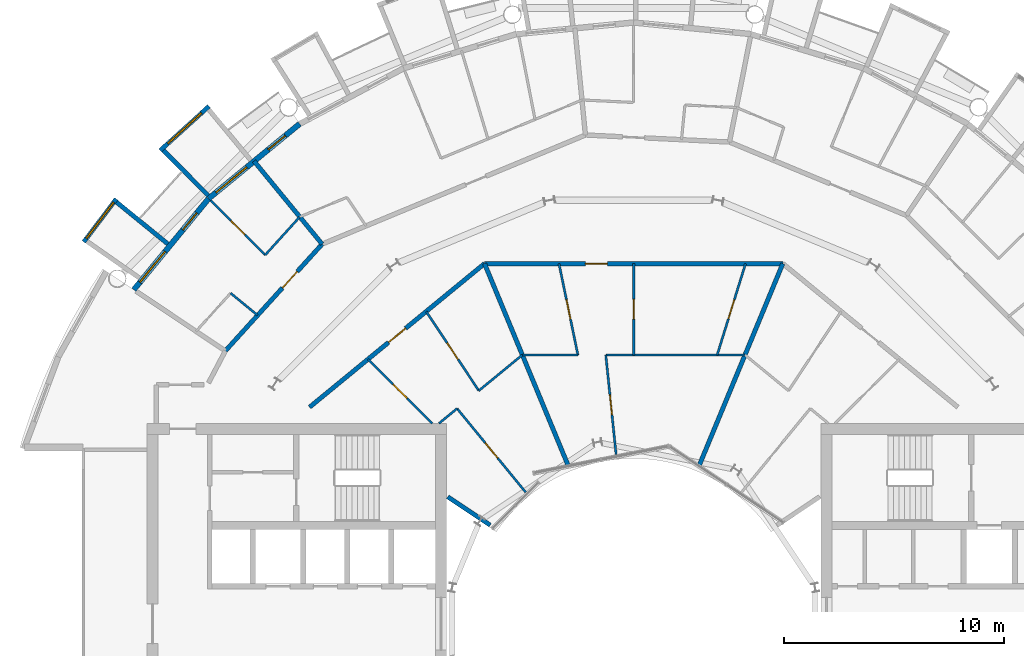
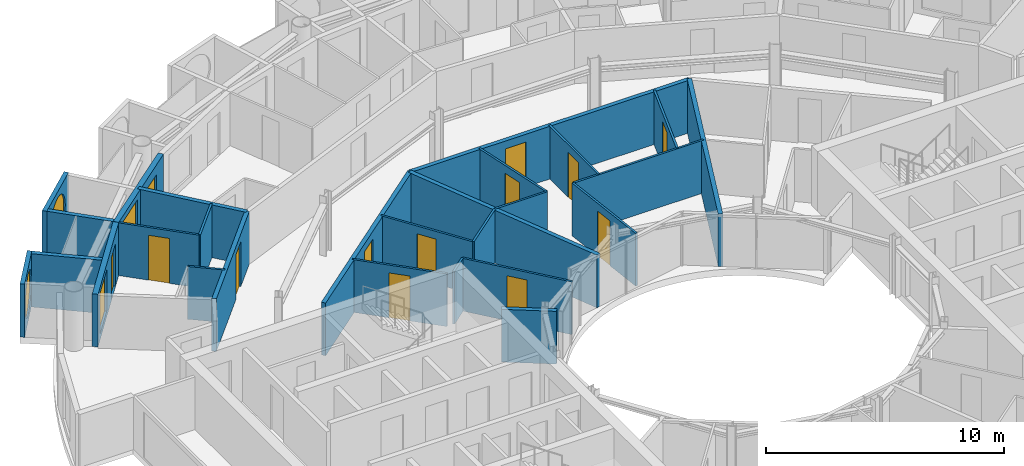
# One storey, part 20 of 28: 27 walls, 13 doors, 4 windows, 17 openings.
"""IFC4 building model written with IfcOpenShell, lengths in metres."""

from ifc_helpers import new_model, si_unit, direction, frame, frame_2d, origin, place, context, subcontext, project, spatial, rectangle, circle, extrude, material, layer, layer_set, type_object, element, fill, save


model = new_model("IFC4")

# Units and contexts
model_context = context("Model", 3, precision=1e-05, world=origin(), true_north=direction((0.0, 1.0)))
body_context = subcontext(model_context, "Body", "Model", "MODEL_VIEW")
ifc_project = project(units=[si_unit("LENGTHUNIT", "METRE"), si_unit("AREAUNIT", "SQUARE_METRE"), si_unit("VOLUMEUNIT", "CUBIC_METRE"), si_unit("PLANEANGLEUNIT", "RADIAN"), si_unit("MASSUNIT", "GRAM", prefix="KILO")], contexts=[model_context])

# Site, building, storey
site_placement = place(None, origin())
site = spatial("IfcSite", under=ifc_project, at=site_placement, CompositionType="ELEMENT")
building_placement = place(site_placement, origin())
building = spatial("IfcBuilding", under=site, at=building_placement, Name="Maasbend Ring Residences", CompositionType="ELEMENT")
storey_placement = place(building_placement, frame((0.0, 0.0, 173.800048828125)))
storey = spatial("IfcBuildingStorey", under=building, at=storey_placement, Name="L50", CompositionType="ELEMENT", Elevation=173.800048828125)

# Wall, opening, door
ifc_material_1 = material(Name="Concrete C30/37", Category="concrete")
ifc_layer_1 = layer(ifc_material_1, 0.199951171875)
ifc_layer_set_1 = layer_set([ifc_layer_1], Name="Concrete C30/37")
wall_type_1 = type_object("IfcWallType", Name="CORRIDOR WALL 200 CONCRETE", PredefinedType="PARTITIONING", material=ifc_layer_set_1)
wall_1_placement = place(storey_placement, frame((-6.77294921875, 16.35302734375, 0.0), z_axis=(0.0, 0.0, 1.0), x_axis=(1.0, 0.0, 0.0)))
wall_1 = element("IfcWall", 1, at=wall_1_placement, inside=storey, type_object=wall_type_1, Name="U-L50-w104", PredefinedType="PARTITIONING", context=body_context, shape_type="SweptSolid", body=[
    extrude(rectangle(XDim=13.5458984375, YDim=0.199951171875, at=frame_2d((6.77294921875, 0.0))), origin(), (0.0, 0.0, 1.0), 2.699951171875),
])
opening_1_placement = place(wall_1_placement, frame((4.5791015625, 0.0, 0.0)))
opening_1 = element("IfcOpeningElement", 2, at=opening_1_placement, cuts=wall_1, Name="Opening D-5024", PredefinedType="OPENING", context=body_context, shape_type="SweptSolid", body=[
    extrude(rectangle(XDim=1.0, YDim=2.300048828125, at=frame_2d((0.5, 1.14990234375))), frame((0.0, 0.10986328125, 0.0), z_axis=(0.0, -1.0, 0.0), x_axis=(1.0, 0.0, 0.0)), (0.0, 0.0, 1.0), 0.219970703125),
])
ifc_material_2 = material(Name="Timber, fire-rated, painted", Category="wood")
door_type_1 = type_object("IfcDoorType", Name="FLAT ENTRANCE DOOR 1000 X 2300 FIRE-RATED", OperationType="NOTDEFINED", PredefinedType="DOOR", material=ifc_material_2)
door_1_placement = place(opening_1_placement, origin())
door_1 = element("IfcDoor", 3, at=door_1_placement, inside=storey, type_object=door_type_1, Name="D-5024", OperationType="SINGLE_SWING_LEFT", OverallHeight=2.300048828125, OverallWidth=1.0, PredefinedType="DOOR", context=body_context, shape_type="SweptSolid", body=[
    extrude(rectangle(XDim=1.0, YDim=2.300048828125, at=frame_2d((0.5, 1.14990234375))), frame((0.0, 0.02490234375, 0.0), z_axis=(0.0, -1.0, 0.0), x_axis=(1.0, 0.0, 0.0)), (0.0, 0.0, 1.0), 0.050048828125),
])
fill(opening_1, door_1)

wall_2_placement = place(storey_placement, frame((-14.717041015625, 9.833984375, 0.0), z_axis=(0.0, 0.0, 1.0), x_axis=(0.773034536097, 0.634363938131, 0.0)))
wall_2 = element("IfcWall", 4, at=wall_2_placement, inside=storey, type_object=wall_type_1, Name="U-L50-w105", PredefinedType="PARTITIONING", context=body_context, shape_type="SweptSolid", body=[
    extrude(rectangle(XDim=10.276611328125, YDim=0.199951171875, at=frame_2d((5.13818359375, 0.0))), origin(), (0.0, 0.0, 1.0), 2.699951171875),
])
opening_2_placement = place(wall_2_placement, frame((4.637939453125, 0.0, 0.0)))
opening_2 = element("IfcOpeningElement", 5, at=opening_2_placement, cuts=wall_2, Name="Opening D-5029", PredefinedType="OPENING", context=body_context, shape_type="SweptSolid", body=[
    extrude(rectangle(XDim=1.0, YDim=2.300048828125, at=frame_2d((0.5, 1.14990234375))), frame((0.0, 0.10986328125, 0.0), z_axis=(0.0, -1.0, 0.0), x_axis=(1.0, 0.0, 0.0)), (0.0, 0.0, 1.0), 0.219970703125),
])
door_2_placement = place(opening_2_placement, origin())
door_2 = element("IfcDoor", 6, at=door_2_placement, inside=storey, type_object=door_type_1, Name="D-5029", OperationType="SINGLE_SWING_LEFT", OverallHeight=2.300048828125, OverallWidth=1.0, PredefinedType="DOOR", context=body_context, shape_type="SweptSolid", body=[
    extrude(rectangle(XDim=1.0, YDim=2.300048828125, at=frame_2d((0.5, 1.14990234375))), frame((0.0, 0.02490234375, 0.0), z_axis=(0.0, -1.0, 0.0), x_axis=(1.0, 0.0, 0.0)), (0.0, 0.0, 1.0), 0.050048828125),
])
fill(opening_2, door_2)

wall_3_placement = place(storey_placement, frame((-18.5419921875, 12.388916015625, 0.0), z_axis=(0.0, 0.0, 1.0), x_axis=(0.671561669125, 0.740948665268, 0.0)))
wall_3 = element("IfcWall", 7, at=wall_3_placement, inside=storey, type_object=wall_type_1, Name="U-L50-w112", PredefinedType="PARTITIONING", context=body_context, shape_type="SweptSolid", body=[
    extrude(rectangle(XDim=6.54443359375, YDim=0.199951171875, at=frame_2d((3.272216796875, 0.0))), origin(), (0.0, 0.0, 1.0), 2.699951171875),
])
opening_3_placement = place(wall_3_placement, frame((3.862060546875, 0.0, 0.0)))
opening_3 = element("IfcOpeningElement", 8, at=opening_3_placement, cuts=wall_3, Name="Opening D-5017", PredefinedType="OPENING", context=body_context, shape_type="SweptSolid", body=[
    extrude(rectangle(XDim=1.0, YDim=2.300048828125, at=frame_2d((0.5, 1.14990234375))), frame((0.0, 0.10986328125, 0.0), z_axis=(0.0, -1.0, 0.0), x_axis=(1.0, 0.0, 0.0)), (0.0, 0.0, 1.0), 0.219970703125),
])
door_3_placement = place(opening_3_placement, origin())
door_3 = element("IfcDoor", 9, at=door_3_placement, inside=storey, type_object=door_type_1, Name="D-5017", OperationType="SINGLE_SWING_RIGHT", OverallHeight=2.300048828125, OverallWidth=1.0, PredefinedType="DOOR", context=body_context, shape_type="SweptSolid", body=[
    extrude(rectangle(XDim=1.0, YDim=2.300048828125, at=frame_2d((0.5, 1.14990234375))), frame((0.0, 0.02490234375, 0.0), z_axis=(0.0, -1.0, 0.0), x_axis=(1.0, 0.0, 0.0)), (0.0, 0.0, 1.0), 0.050048828125),
])
fill(opening_3, door_3)

# Wall, opening, window
ifc_material_3 = material(Name="Pale anodised aluminium panel", Category="aluminium")
ifc_layer_2 = layer(ifc_material_3, 0.199951171875)
ifc_layer_set_2 = layer_set([ifc_layer_2], Name="EW-BOX")
wall_type_2 = type_object("IfcWallType", Name="EW-BOX", PredefinedType="SOLIDWALL", material=ifc_layer_set_2)
wall_4_placement = place(storey_placement, frame((-19.281982421875, 23.5029296875, -0.030029296875), z_axis=(0.0, 0.0, 1.0), x_axis=(-0.740998365753, -0.671506829416, 0.0)))
wall_4 = element("IfcWall", 10, at=wall_4_placement, inside=storey, type_object=wall_type_2, Name="Box front N18", PredefinedType="SOLIDWALL", context=body_context, shape_type="SweptSolid", body=[
    extrude(rectangle(XDim=2.9931640625, YDim=0.199951171875, at=frame_2d((1.49658203125, 0.0))), origin(), (0.0, 0.0, 1.0), 2.72998046875),
])
opening_4_placement = place(wall_4_placement, frame((0.45654296875, 0.0, 0.330078125)))
opening_4 = element("IfcOpeningElement", 11, at=opening_4_placement, cuts=wall_4, Name="Opening W-RD", PredefinedType="OPENING", context=body_context, shape_type="SweptSolid", body=[
    extrude(circle(Radius=1.0400390625, at=frame_2d((1.0400390625, 1.0400390625))), frame((0.0, 0.10986328125, 0.0), z_axis=(0.0, -1.0, 0.0), x_axis=(1.0, 0.0, 0.0)), (0.0, 0.0, 1.0), 0.219970703125),
])
ifc_material_4 = material(Name="Aluminium and clear glass", Category="aluminium")
window_type_1 = type_object("IfcWindowType", Name="W-RD", PartitioningType="SINGLE_PANEL", PredefinedType="WINDOW", material=ifc_material_4)
window_1_placement = place(opening_4_placement, origin())
window_1 = element("IfcWindow", 12, at=window_1_placement, inside=storey, type_object=window_type_1, Name="Round window N18", OverallHeight=2.080078125, OverallWidth=2.080078125, PartitioningType="SINGLE_PANEL", PredefinedType="WINDOW", context=body_context, shape_type="SweptSolid", body=[
    extrude(circle(Radius=1.0400390625, at=frame_2d((1.0400390625, 1.0400390625))), frame((0.0, 0.030029296875, 0.0), z_axis=(0.0, -1.0, 0.0), x_axis=(1.0, 0.0, 0.0)), (0.0, 0.0, 1.0), 0.06005859375),
])
fill(opening_4, window_1)

# Wall
wall_5_placement = place(storey_placement, frame((-19.322998046875, 19.449951171875, -0.030029296875), z_axis=(0.0, 0.0, 1.0), x_axis=(-0.704476739375, 0.709727076896, 0.0)))
element("IfcWall", 13, at=wall_5_placement, inside=storey, type_object=wall_type_2, Name="Box side wall N18 right", PredefinedType="SOLIDWALL", context=body_context, shape_type="SweptSolid", body=[
    extrude(rectangle(XDim=2.883056640625, YDim=0.199951171875, at=frame_2d((1.44140625, 0.0))), origin(), (0.0, 0.0, 1.0), 2.72998046875),
])

# Wall, opening, window
wall_6_placement = place(storey_placement, frame((-23.4970703125, 19.2890625, -0.030029296875), z_axis=(0.0, 0.0, 1.0), x_axis=(-0.602806268067, -0.797887588059, 0.0)))
wall_6 = element("IfcWall", 14, at=wall_6_placement, inside=storey, type_object=wall_type_2, Name="Box front N20", PredefinedType="SOLIDWALL", context=body_context, shape_type="SweptSolid", body=[
    extrude(rectangle(XDim=2.446533203125, YDim=0.199951171875, at=frame_2d((1.22314453125, 0.0))), origin(), (0.0, 0.0, 1.0), 2.72998046875),
])
opening_5_placement = place(wall_6_placement, frame((0.182861328125, 0.0, 0.330078125)))
opening_5 = element("IfcOpeningElement", 15, at=opening_5_placement, cuts=wall_6, Name="Opening W-RD", PredefinedType="OPENING", context=body_context, shape_type="SweptSolid", body=[
    extrude(circle(Radius=1.0400390625, at=frame_2d((1.0400390625, 1.0400390625))), frame((0.0, 0.10986328125, 0.0), z_axis=(0.0, -1.0, 0.0), x_axis=(1.0, 0.0, 0.0)), (0.0, 0.0, 1.0), 0.219970703125),
])
window_2_placement = place(opening_5_placement, origin())
window_2 = element("IfcWindow", 16, at=window_2_placement, inside=storey, type_object=window_type_1, Name="Round window N20", OverallHeight=2.080078125, OverallWidth=2.080078125, PartitioningType="SINGLE_PANEL", PredefinedType="WINDOW", context=body_context, shape_type="SweptSolid", body=[
    extrude(circle(Radius=1.0400390625, at=frame_2d((1.0400390625, 1.0400390625))), frame((0.0, 0.030029296875, 0.0), z_axis=(0.0, -1.0, 0.0), x_axis=(1.0, 0.0, 0.0)), (0.0, 0.0, 1.0), 0.06005859375),
])
fill(opening_5, window_2)

# Wall
wall_7_placement = place(storey_placement, frame((-21.155029296875, 17.24609375, -0.030029296875), z_axis=(0.0, 0.0, 1.0), x_axis=(-0.775179004516, 0.631741648902, 0.0)))
element("IfcWall", 17, at=wall_7_placement, inside=storey, type_object=wall_type_2, Name="Box side wall N20 left", PredefinedType="SOLIDWALL", context=body_context, shape_type="SweptSolid", body=[
    extrude(rectangle(XDim=3.005859375, YDim=0.199951171875, at=frame_2d((1.5029296875, 0.0))), origin(), (0.0, 0.0, 1.0), 2.72998046875),
])

# Wall, openings, door, window
ifc_material_5 = material(Name="Aluminium clad insulated panel", Category="aluminium")
ifc_layer_3 = layer(ifc_material_5, 0.25)
ifc_layer_set_3 = layer_set([ifc_layer_3], Name="EW-GL")
wall_type_3 = type_object("IfcWallType", Name="EW-GL", PredefinedType="SOLIDWALL", material=ifc_layer_set_3)
wall_8_placement = place(storey_placement, frame((-15.1669921875, 22.698974609375, 0.0), z_axis=(0.0, 0.0, 1.0), x_axis=(-0.773019449054, -0.634382322723, 0.0)))
wall_8 = element("IfcWall", 18, at=wall_8_placement, inside=storey, type_object=wall_type_3, Name="External wall N09", PredefinedType="SOLIDWALL", context=body_context, shape_type="SweptSolid", body=[
    extrude(rectangle(XDim=5.351806640625, YDim=0.25, at=frame_2d((2.67578125, 0.0))), origin(), (0.0, 0.0, 1.0), 2.699951171875),
])
opening_6_placement = place(wall_8_placement, frame((0.841064453125, 0.0, 0.0)))
opening_6 = element("IfcOpeningElement", 19, at=opening_6_placement, cuts=wall_8, Name="Opening D-LG", PredefinedType="OPENING", context=body_context, shape_type="SweptSolid", body=[
    extrude(rectangle(XDim=1.0, YDim=2.199951171875, at=frame_2d((0.5, 1.10009765625))), frame((0.0, 0.135009765625, 0.0), z_axis=(0.0, -1.0, 0.0), x_axis=(1.0, 0.0, 0.0)), (0.0, 0.0, 1.0), 0.27001953125),
])
opening_7_placement = place(wall_8_placement, frame((3.110595703125, 0.0, 0.300048828125)))
opening_7 = element("IfcOpeningElement", 20, at=opening_7_placement, cuts=wall_8, Name="Opening W-BX", PredefinedType="OPENING", context=body_context, shape_type="SweptSolid", body=[
    extrude(rectangle(XDim=1.800048828125, YDim=2.10009765625, at=frame_2d((0.89990234375, 1.050048828125))), frame((0.0, 0.135009765625, 0.0), z_axis=(0.0, -1.0, 0.0), x_axis=(1.0, 0.0, 0.0)), (0.0, 0.0, 1.0), 0.27001953125),
])
ifc_material_6 = material(Name="Aluminium and clear glass", Category="aluminium")
door_type_2 = type_object("IfcDoorType", Name="D-LG", OperationType="SINGLE_SWING_LEFT", PredefinedType="DOOR", material=ifc_material_6)
door_4_placement = place(opening_6_placement, origin())
door_4 = element("IfcDoor", 21, at=door_4_placement, inside=storey, type_object=door_type_2, Name="Loggia door N17", OperationType="SINGLE_SWING_LEFT", OverallHeight=2.199951171875, OverallWidth=1.0, PredefinedType="DOOR", context=body_context, shape_type="SweptSolid", body=[
    extrude(rectangle(XDim=1.0, YDim=2.199951171875, at=frame_2d((0.5, 1.10009765625))), frame((0.0, 0.02490234375, 0.0), z_axis=(0.0, -1.0, 0.0), x_axis=(1.0, 0.0, 0.0)), (0.0, 0.0, 1.0), 0.050048828125),
])
fill(opening_6, door_4)
ifc_material_7 = material(Name="Aluminium and clear glass", Category="aluminium")
window_type_2 = type_object("IfcWindowType", Name="W-BX", PartitioningType="DOUBLE_PANEL_VERTICAL", PredefinedType="WINDOW", material=ifc_material_7)
window_3_placement = place(opening_7_placement, origin())
window_3 = element("IfcWindow", 22, at=window_3_placement, inside=storey, type_object=window_type_2, Name="Window N18 room to box", OverallHeight=2.10009765625, OverallWidth=1.800048828125, PartitioningType="SINGLE_PANEL", PredefinedType="WINDOW", context=body_context, shape_type="SweptSolid", body=[
    extrude(rectangle(XDim=1.800048828125, YDim=2.10009765625, at=frame_2d((0.89990234375, 1.050048828125))), frame((0.0, 0.030029296875, 0.0), z_axis=(0.0, -1.0, 0.0), x_axis=(1.0, 0.0, 0.0)), (0.0, 0.0, 1.0), 0.06005859375),
])
fill(opening_7, window_3)

wall_9_placement = place(storey_placement, frame((-19.303955078125, 19.303955078125, 0.0), z_axis=(0.0, 0.0, 1.0), x_axis=(-0.634382322723, -0.773019449054, 0.0)))
wall_9 = element("IfcWall", 23, at=wall_9_placement, inside=storey, type_object=wall_type_3, Name="External wall N10", PredefinedType="SOLIDWALL", context=body_context, shape_type="SweptSolid", body=[
    extrude(rectangle(XDim=5.351806640625, YDim=0.25, at=frame_2d((2.67578125, 0.0))), origin(), (0.0, 0.0, 1.0), 2.699951171875),
])
opening_8_placement = place(wall_9_placement, frame((0.841064453125, 0.0, 0.0)))
opening_8 = element("IfcOpeningElement", 24, at=opening_8_placement, cuts=wall_9, Name="Opening D-LG", PredefinedType="OPENING", context=body_context, shape_type="SweptSolid", body=[
    extrude(rectangle(XDim=1.0, YDim=2.199951171875, at=frame_2d((0.5, 1.10009765625))), frame((0.0, 0.135009765625, 0.0), z_axis=(0.0, -1.0, 0.0), x_axis=(1.0, 0.0, 0.0)), (0.0, 0.0, 1.0), 0.27001953125),
])
opening_9_placement = place(wall_9_placement, frame((3.110595703125, 0.0, 0.300048828125)))
opening_9 = element("IfcOpeningElement", 25, at=opening_9_placement, cuts=wall_9, Name="Opening W-BX", PredefinedType="OPENING", context=body_context, shape_type="SweptSolid", body=[
    extrude(rectangle(XDim=1.800048828125, YDim=2.10009765625, at=frame_2d((0.89990234375, 1.050048828125))), frame((0.0, 0.135009765625, 0.0), z_axis=(0.0, -1.0, 0.0), x_axis=(1.0, 0.0, 0.0)), (0.0, 0.0, 1.0), 0.27001953125),
])
door_5_placement = place(opening_8_placement, origin())
door_5 = element("IfcDoor", 26, at=door_5_placement, inside=storey, type_object=door_type_2, Name="Loggia door N19", OperationType="SINGLE_SWING_LEFT", OverallHeight=2.199951171875, OverallWidth=1.0, PredefinedType="DOOR", context=body_context, shape_type="SweptSolid", body=[
    extrude(rectangle(XDim=1.0, YDim=2.199951171875, at=frame_2d((0.5, 1.10009765625))), frame((0.0, 0.02490234375, 0.0), z_axis=(0.0, -1.0, 0.0), x_axis=(1.0, 0.0, 0.0)), (0.0, 0.0, 1.0), 0.050048828125),
])
fill(opening_8, door_5)
window_4_placement = place(opening_9_placement, origin())
window_4 = element("IfcWindow", 27, at=window_4_placement, inside=storey, type_object=window_type_2, Name="Window N20 room to box", OverallHeight=2.10009765625, OverallWidth=1.800048828125, PartitioningType="SINGLE_PANEL", PredefinedType="WINDOW", context=body_context, shape_type="SweptSolid", body=[
    extrude(rectangle(XDim=1.800048828125, YDim=2.10009765625, at=frame_2d((0.89990234375, 1.050048828125))), frame((0.0, 0.030029296875, 0.0), z_axis=(0.0, -1.0, 0.0), x_axis=(1.0, 0.0, 0.0)), (0.0, 0.0, 1.0), 0.06005859375),
])
fill(opening_9, window_4)

# Wall, opening, door
ifc_material_8 = material(Name="Gypsum board on steel studs", Category="steel")
ifc_layer_4 = layer(ifc_material_8, 0.10009765625)
ifc_layer_set_4 = layer_set([ifc_layer_4], Name="PARTITION 100 GYPSUM")
wall_type_4 = type_object("IfcWallType", Name="PARTITION 100 GYPSUM", PredefinedType="PARTITIONING", material=ifc_layer_set_4)
wall_10_placement = place(storey_placement, frame((-8.01904296875, 9.77099609375, 0.0), z_axis=(0.0, 0.0, 1.0), x_axis=(0.633851064378, -0.773455123577, 0.0)))
wall_10 = element("IfcWall", 28, at=wall_10_placement, inside=storey, type_object=wall_type_4, Name="U-L50-w030", PredefinedType="PARTITIONING", context=body_context, shape_type="SweptSolid", body=[
    extrude(rectangle(XDim=4.91943359375, YDim=0.10009765625, at=frame_2d((2.459716796875, 0.0))), origin(), (0.0, 0.0, 1.0), 2.699951171875),
])
opening_10_placement = place(wall_10_placement, frame((2.010009765625, 0.0, 0.0)))
opening_10 = element("IfcOpeningElement", 29, at=opening_10_placement, cuts=wall_10, Name="Opening D-5032", PredefinedType="OPENING", context=body_context, shape_type="SweptSolid", body=[
    extrude(rectangle(XDim=0.89990234375, YDim=2.300048828125, at=frame_2d((0.449951171875, 1.14990234375))), frame((0.0, 0.06005859375, 0.0), z_axis=(0.0, -1.0, 0.0), x_axis=(1.0, 0.0, 0.0)), (0.0, 0.0, 1.0), 0.1201171875),
])
ifc_material_9 = material(Name="Timber, painted", Category="wood")
door_type_3 = type_object("IfcDoorType", Name="INTERNAL DOOR 900 X 2300", OperationType="NOTDEFINED", PredefinedType="DOOR", material=ifc_material_9)
door_6_placement = place(opening_10_placement, origin())
door_6 = element("IfcDoor", 30, at=door_6_placement, inside=storey, type_object=door_type_3, Name="D-5032", OperationType="SINGLE_SWING_RIGHT", OverallHeight=2.300048828125, OverallWidth=0.89990234375, PredefinedType="DOOR", context=body_context, shape_type="SweptSolid", body=[
    extrude(rectangle(XDim=0.89990234375, YDim=2.300048828125, at=frame_2d((0.449951171875, 1.14990234375))), frame((0.0, 0.02490234375, 0.0), z_axis=(0.0, -1.0, 0.0), x_axis=(1.0, 0.0, 0.0)), (0.0, 0.0, 1.0), 0.050048828125),
])
fill(opening_10, door_6)

wall_11_placement = place(storey_placement, frame((-19.2099609375, 19.221923828125, 0.0), z_axis=(0.0, 0.0, 1.0), x_axis=(0.706967463531, -0.707246071398, 0.0)))
wall_11 = element("IfcWall", 31, at=wall_11_placement, inside=storey, type_object=wall_type_4, Name="U-L50-w036", PredefinedType="PARTITIONING", context=body_context, shape_type="SweptSolid", body=[
    extrude(rectangle(XDim=3.505126953125, YDim=0.10009765625, at=frame_2d((1.75244140625, 0.0))), origin(), (0.0, 0.0, 1.0), 2.699951171875),
])
opening_11_placement = place(wall_11_placement, frame((1.302978515625, 0.0, 0.0)))
opening_11 = element("IfcOpeningElement", 32, at=opening_11_placement, cuts=wall_11, Name="Opening D-5019", PredefinedType="OPENING", context=body_context, shape_type="SweptSolid", body=[
    extrude(rectangle(XDim=0.89990234375, YDim=2.300048828125, at=frame_2d((0.449951171875, 1.14990234375))), frame((0.0, 0.06005859375, 0.0), z_axis=(0.0, -1.0, 0.0), x_axis=(1.0, 0.0, 0.0)), (0.0, 0.0, 1.0), 0.1201171875),
])
door_7_placement = place(opening_11_placement, origin())
door_7 = element("IfcDoor", 33, at=door_7_placement, inside=storey, type_object=door_type_3, Name="D-5019", OperationType="SINGLE_SWING_LEFT", OverallHeight=2.300048828125, OverallWidth=0.89990234375, PredefinedType="DOOR", context=body_context, shape_type="SweptSolid", body=[
    extrude(rectangle(XDim=0.89990234375, YDim=2.300048828125, at=frame_2d((0.449951171875, 1.14990234375))), frame((0.0, 0.02490234375, 0.0), z_axis=(0.0, -1.0, 0.0), x_axis=(1.0, 0.0, 0.0)), (0.0, 0.0, 1.0), 0.050048828125),
])
fill(opening_11, door_7)

wall_12_placement = place(storey_placement, frame((-12.069091796875, 12.007080078125, 0.0), z_axis=(0.0, 0.0, 1.0), x_axis=(0.708822693149, -0.705386695138, 0.0)))
wall_12 = element("IfcWall", 34, at=wall_12_placement, inside=storey, type_object=wall_type_4, Name="U-L50-w043", PredefinedType="PARTITIONING", context=body_context, shape_type="SweptSolid", body=[
    extrude(rectangle(XDim=4.12109375, YDim=0.10009765625, at=frame_2d((2.060546875, 0.0))), origin(), (0.0, 0.0, 1.0), 2.699951171875),
])
opening_12_placement = place(wall_12_placement, frame((1.611083984375, 0.0, 0.0)))
opening_12 = element("IfcOpeningElement", 35, at=opening_12_placement, cuts=wall_12, Name="Opening D-5031", PredefinedType="OPENING", context=body_context, shape_type="SweptSolid", body=[
    extrude(rectangle(XDim=0.89990234375, YDim=2.300048828125, at=frame_2d((0.449951171875, 1.14990234375))), frame((0.0, 0.06005859375, 0.0), z_axis=(0.0, -1.0, 0.0), x_axis=(1.0, 0.0, 0.0)), (0.0, 0.0, 1.0), 0.1201171875),
])
door_8_placement = place(opening_12_placement, origin())
door_8 = element("IfcDoor", 36, at=door_8_placement, inside=storey, type_object=door_type_3, Name="D-5031", OperationType="SINGLE_SWING_RIGHT", OverallHeight=2.300048828125, OverallWidth=0.89990234375, PredefinedType="DOOR", context=body_context, shape_type="SweptSolid", body=[
    extrude(rectangle(XDim=0.89990234375, YDim=2.300048828125, at=frame_2d((0.449951171875, 1.14990234375))), frame((0.0, 0.02490234375, 0.0), z_axis=(0.0, -1.0, 0.0), x_axis=(1.0, 0.0, 0.0)), (0.0, 0.0, 1.0), 0.050048828125),
])
fill(opening_12, door_8)

wall_13_placement = place(storey_placement, frame((-9.4208984375, 14.179931640625, 0.0), z_axis=(0.0, 0.0, 1.0), x_axis=(0.553303732327, -0.832979579457, 0.0)))
wall_13 = element("IfcWall", 37, at=wall_13_placement, inside=storey, type_object=wall_type_4, Name="U-L50-w046", PredefinedType="PARTITIONING", context=body_context, shape_type="SweptSolid", body=[
    extrude(rectangle(XDim=4.3193359375, YDim=0.10009765625, at=frame_2d((2.15966796875, 0.0))), origin(), (0.0, 0.0, 1.0), 2.699951171875),
])
opening_13_placement = place(wall_13_placement, frame((1.7099609375, 0.0, 0.0)))
opening_13 = element("IfcOpeningElement", 38, at=opening_13_placement, cuts=wall_13, Name="Opening D-5030", PredefinedType="OPENING", context=body_context, shape_type="SweptSolid", body=[
    extrude(rectangle(XDim=0.89990234375, YDim=2.300048828125, at=frame_2d((0.449951171875, 1.14990234375))), frame((0.0, 0.06005859375, 0.0), z_axis=(0.0, -1.0, 0.0), x_axis=(1.0, 0.0, 0.0)), (0.0, 0.0, 1.0), 0.1201171875),
])
door_9_placement = place(opening_13_placement, origin())
door_9 = element("IfcDoor", 39, at=door_9_placement, inside=storey, type_object=door_type_3, Name="D-5030", OperationType="SINGLE_SWING_RIGHT", OverallHeight=2.300048828125, OverallWidth=0.89990234375, PredefinedType="DOOR", context=body_context, shape_type="SweptSolid", body=[
    extrude(rectangle(XDim=0.89990234375, YDim=2.300048828125, at=frame_2d((0.449951171875, 1.14990234375))), frame((0.0, 0.02490234375, 0.0), z_axis=(0.0, -1.0, 0.0), x_axis=(1.0, 0.0, 0.0)), (0.0, 0.0, 1.0), 0.050048828125),
])
fill(opening_13, door_9)

wall_14_placement = place(storey_placement, frame((-3.39208984375, 16.35205078125, 0.0), z_axis=(0.0, 0.0, 1.0), x_axis=(0.202980913894, -0.979182694187, 0.0)))
wall_14 = element("IfcWall", 40, at=wall_14_placement, inside=storey, type_object=wall_type_4, Name="U-L50-w056", PredefinedType="PARTITIONING", context=body_context, shape_type="SweptSolid", body=[
    extrude(rectangle(XDim=4.2373046875, YDim=0.10009765625, at=frame_2d((2.11865234375, 0.0))), origin(), (0.0, 0.0, 1.0), 2.699951171875),
])
opening_14_placement = place(wall_14_placement, frame((1.6689453125, 0.0, 0.0)))
opening_14 = element("IfcOpeningElement", 41, at=opening_14_placement, cuts=wall_14, Name="Opening D-5025", PredefinedType="OPENING", context=body_context, shape_type="SweptSolid", body=[
    extrude(rectangle(XDim=0.89990234375, YDim=2.300048828125, at=frame_2d((0.449951171875, 1.14990234375))), frame((0.0, 0.06005859375, 0.0), z_axis=(0.0, -1.0, 0.0), x_axis=(1.0, 0.0, 0.0)), (0.0, 0.0, 1.0), 0.1201171875),
])
door_10_placement = place(opening_14_placement, origin())
door_10 = element("IfcDoor", 42, at=door_10_placement, inside=storey, type_object=door_type_3, Name="D-5025", OperationType="SINGLE_SWING_RIGHT", OverallHeight=2.300048828125, OverallWidth=0.89990234375, PredefinedType="DOOR", context=body_context, shape_type="SweptSolid", body=[
    extrude(rectangle(XDim=0.89990234375, YDim=2.300048828125, at=frame_2d((0.449951171875, 1.14990234375))), frame((0.0, 0.02490234375, 0.0), z_axis=(0.0, -1.0, 0.0), x_axis=(1.0, 0.0, 0.0)), (0.0, 0.0, 1.0), 0.050048828125),
])
fill(opening_14, door_10)

wall_15_placement = place(storey_placement, frame((-1.26611328125, 12.2041015625, 0.0), z_axis=(0.0, 0.0, 1.0), x_axis=(0.103089563582, -0.994672077561, 0.0)))
wall_15 = element("IfcWall", 43, at=wall_15_placement, inside=storey, type_object=wall_type_4, Name="U-L50-w059", PredefinedType="PARTITIONING", context=body_context, shape_type="SweptSolid", body=[
    extrude(rectangle(XDim=4.54931640625, YDim=0.10009765625, at=frame_2d((2.274658203125, 0.0))), origin(), (0.0, 0.0, 1.0), 2.699951171875),
])
opening_15_placement = place(wall_15_placement, frame((1.824951171875, 0.0, 0.0)))
opening_15 = element("IfcOpeningElement", 44, at=opening_15_placement, cuts=wall_15, Name="Opening D-5028", PredefinedType="OPENING", context=body_context, shape_type="SweptSolid", body=[
    extrude(rectangle(XDim=0.89990234375, YDim=2.300048828125, at=frame_2d((0.449951171875, 1.14990234375))), frame((0.0, 0.06005859375, 0.0), z_axis=(0.0, -1.0, 0.0), x_axis=(1.0, 0.0, 0.0)), (0.0, 0.0, 1.0), 0.1201171875),
])
door_11_placement = place(opening_15_placement, origin())
door_11 = element("IfcDoor", 45, at=door_11_placement, inside=storey, type_object=door_type_3, Name="D-5028", OperationType="SINGLE_SWING_RIGHT", OverallHeight=2.300048828125, OverallWidth=0.89990234375, PredefinedType="DOOR", context=body_context, shape_type="SweptSolid", body=[
    extrude(rectangle(XDim=0.89990234375, YDim=2.300048828125, at=frame_2d((0.449951171875, 1.14990234375))), frame((0.0, 0.02490234375, 0.0), z_axis=(0.0, -1.0, 0.0), x_axis=(1.0, 0.0, 0.0)), (0.0, 0.0, 1.0), 0.050048828125),
])
fill(opening_15, door_11)

wall_16_placement = place(storey_placement, frame((0.0, 12.2041015625, 0.0), z_axis=(0.0, 0.0, 1.0), x_axis=(0.0, 1.0, 0.0)))
wall_16 = element("IfcWall", 46, at=wall_16_placement, inside=storey, type_object=wall_type_4, Name="U-L50-w062", PredefinedType="PARTITIONING", context=body_context, shape_type="SweptSolid", body=[
    extrude(rectangle(XDim=4.14892578125, YDim=0.10009765625, at=frame_2d((2.074462890625, 0.0))), origin(), (0.0, 0.0, 1.0), 2.699951171875),
])
opening_16_placement = place(wall_16_placement, frame((1.625, 0.0, 0.0)))
opening_16 = element("IfcOpeningElement", 47, at=opening_16_placement, cuts=wall_16, Name="Opening D-5026", PredefinedType="OPENING", context=body_context, shape_type="SweptSolid", body=[
    extrude(rectangle(XDim=0.89990234375, YDim=2.300048828125, at=frame_2d((0.449951171875, 1.14990234375))), frame((0.0, 0.06005859375, 0.0), z_axis=(0.0, -1.0, 0.0), x_axis=(1.0, 0.0, 0.0)), (0.0, 0.0, 1.0), 0.1201171875),
])
door_12_placement = place(opening_16_placement, origin())
door_12 = element("IfcDoor", 48, at=door_12_placement, inside=storey, type_object=door_type_3, Name="D-5026", OperationType="SINGLE_SWING_RIGHT", OverallHeight=2.300048828125, OverallWidth=0.89990234375, PredefinedType="DOOR", context=body_context, shape_type="SweptSolid", body=[
    extrude(rectangle(XDim=0.89990234375, YDim=2.300048828125, at=frame_2d((0.449951171875, 1.14990234375))), frame((0.0, 0.02490234375, 0.0), z_axis=(0.0, -1.0, 0.0), x_axis=(1.0, 0.0, 0.0)), (0.0, 0.0, 1.0), 0.050048828125),
])
fill(opening_16, door_12)

wall_17_placement = place(storey_placement, frame((3.7919921875, 12.2041015625, 0.0), z_axis=(0.0, 0.0, 1.0), x_axis=(0.29670674532, 0.954968642041, 0.0)))
wall_17 = element("IfcWall", 49, at=wall_17_placement, inside=storey, type_object=wall_type_4, Name="U-L50-w070", PredefinedType="PARTITIONING", context=body_context, shape_type="SweptSolid", body=[
    extrude(rectangle(XDim=4.344482421875, YDim=0.10009765625, at=frame_2d((2.17236328125, 0.0))), origin(), (0.0, 0.0, 1.0), 2.699951171875),
])
opening_17_placement = place(wall_17_placement, frame((1.721923828125, 0.0, 0.0)))
opening_17 = element("IfcOpeningElement", 50, at=opening_17_placement, cuts=wall_17, Name="Opening D-5027", PredefinedType="OPENING", context=body_context, shape_type="SweptSolid", body=[
    extrude(rectangle(XDim=0.89990234375, YDim=2.300048828125, at=frame_2d((0.449951171875, 1.14990234375))), frame((0.0, 0.06005859375, 0.0), z_axis=(0.0, -1.0, 0.0), x_axis=(1.0, 0.0, 0.0)), (0.0, 0.0, 1.0), 0.1201171875),
])
door_13_placement = place(opening_17_placement, origin())
door_13 = element("IfcDoor", 51, at=door_13_placement, inside=storey, type_object=door_type_3, Name="D-5027", OperationType="SINGLE_SWING_LEFT", OverallHeight=2.300048828125, OverallWidth=0.89990234375, PredefinedType="DOOR", context=body_context, shape_type="SweptSolid", body=[
    extrude(rectangle(XDim=0.89990234375, YDim=2.300048828125, at=frame_2d((0.449951171875, 1.14990234375))), frame((0.0, 0.02490234375, 0.0), z_axis=(0.0, -1.0, 0.0), x_axis=(1.0, 0.0, 0.0)), (0.0, 0.0, 1.0), 0.050048828125),
])
fill(opening_17, door_13)

# Walls
wall_18_placement = place(storey_placement, frame((-18.302001953125, 15.010009765625, 0.0), z_axis=(0.0, 0.0, 1.0), x_axis=(0.773476341377, -0.633825172528, 0.0)))
element("IfcWall", 52, at=wall_18_placement, inside=storey, type_object=wall_type_4, Name="U-L50-w091", PredefinedType="PARTITIONING", context=body_context, shape_type="SweptSolid", body=[
    extrude(rectangle(XDim=1.583984375, YDim=0.10009765625, at=frame_2d((0.7919921875, 0.0))), origin(), (0.0, 0.0, 1.0), 2.699951171875),
])
wall_19_placement = place(storey_placement, frame((-5.054931640625, 12.2041015625, 0.0), z_axis=(0.0, 0.0, 1.0), x_axis=(1.0, 0.0, 0.0)))
element("IfcWall", 53, at=wall_19_placement, inside=storey, type_object=wall_type_4, Name="U-L50-w098", PredefinedType="PARTITIONING", context=body_context, shape_type="SweptSolid", body=[
    extrude(rectangle(XDim=2.52783203125, YDim=0.10009765625, at=frame_2d((1.263916015625, 0.0))), origin(), (0.0, 0.0, 1.0), 2.699951171875),
])
wall_20_placement = place(storey_placement, frame((-1.263916015625, 12.2041015625, 0.0), z_axis=(0.0, 0.0, 1.0), x_axis=(1.0, 0.0, 0.0)))
element("IfcWall", 54, at=wall_20_placement, inside=storey, type_object=wall_type_4, Name="U-L50-w099", PredefinedType="PARTITIONING", context=body_context, shape_type="SweptSolid", body=[
    extrude(rectangle(XDim=6.31884765625, YDim=0.10009765625, at=frame_2d((3.159423828125, 0.0))), origin(), (0.0, 0.0, 1.0), 2.699951171875),
])
wall_21_placement = place(storey_placement, frame((-8.842041015625, 9.094970703125, 0.0), z_axis=(0.0, 0.0, 1.0), x_axis=(0.772730269942, 0.634734534995, 0.0)))
element("IfcWall", 55, at=wall_21_placement, inside=storey, type_object=wall_type_4, Name="U-L50-w100", PredefinedType="PARTITIONING", context=body_context, shape_type="SweptSolid", body=[
    extrude(rectangle(XDim=1.06494140625, YDim=0.10009765625, at=frame_2d((0.532470703125, 0.0))), origin(), (0.0, 0.0, 1.0), 2.699951171875),
])
wall_22_placement = place(storey_placement, frame((-7.033935546875, 10.580078125, 0.0), z_axis=(0.0, 0.0, 1.0), x_axis=(0.772764723682, 0.634692588449, 0.0)))
element("IfcWall", 56, at=wall_22_placement, inside=storey, type_object=wall_type_4, Name="U-L50-w101", PredefinedType="PARTITIONING", context=body_context, shape_type="SweptSolid", body=[
    extrude(rectangle(XDim=2.556884765625, YDim=0.10009765625, at=frame_2d((1.2783203125, 0.0))), origin(), (0.0, 0.0, 1.0), 2.699951171875),
])
wall_23_placement = place(storey_placement, frame((-16.73193359375, 16.742919921875, 0.0), z_axis=(0.0, 0.0, 1.0), x_axis=(0.671528384412, 0.740978831634, 0.0)))
element("IfcWall", 57, at=wall_23_placement, inside=storey, type_object=wall_type_4, Name="U-L50-w123", PredefinedType="PARTITIONING", context=body_context, shape_type="SweptSolid", body=[
    extrude(rectangle(XDim=2.337646484375, YDim=0.10009765625, at=frame_2d((1.1689453125, 0.0))), origin(), (0.0, 0.0, 1.0), 2.699951171875),
])
ifc_material_10 = material(Name="Concrete C30/37", Category="concrete")
ifc_layer_5 = layer(ifc_material_10, 0.199951171875)
ifc_layer_set_5 = layer_set([ifc_layer_5], Name="Concrete C30/37")
wall_type_5 = type_object("IfcWallType", Name="PARTY WALL 200 CONCRETE", PredefinedType="PARTITIONING", material=ifc_layer_set_5)
wall_24_placement = place(storey_placement, frame((-17.239990234375, 21.007080078125, 0.0), z_axis=(0.0, 0.0, 1.0), x_axis=(0.634374159378, -0.773026148273, 0.0)))
element("IfcWall", 58, at=wall_24_placement, inside=storey, type_object=wall_type_5, Name="U-L50-w038", PredefinedType="PARTITIONING", context=body_context, shape_type="SweptSolid", body=[
    extrude(rectangle(XDim=4.875732421875, YDim=0.199951171875, at=frame_2d((2.43798828125, 0.0))), origin(), (0.0, 0.0, 1.0), 2.699951171875),
])
for number, where, z_axis, x_axis, name in (
    (59, (-6.77294921875, 16.35302734375, 0.0), (0.0, 0.0, 1.0), (0.382632652025, -0.923900564782, 0.0), "U-L50-w052"),
    (60, (2.9541015625, 7.132080078125, 0.0), (0.0, 0.0, 1.0), (0.382632652025, 0.923900564782, 0.0), "U-L50-w068"),
):
    element("IfcWall", number, at=place(storey_placement, frame(where, z_axis=z_axis, x_axis=x_axis)), inside=storey, type_object=wall_type_5, Name=name, PredefinedType="PARTITIONING", context=body_context, shape_type="SweptSolid", body=[
        extrude(rectangle(XDim=9.98046875, YDim=0.199951171875, at=frame_2d((4.990234375, 0.0))), origin(), (0.0, 0.0, 1.0), 2.699951171875),
    ])
wall_25_placement = place(storey_placement, frame((-6.512939453125, 4.471923828125, 0.0), z_axis=(0.0, 0.0, 1.0), x_axis=(-0.83133816625, 0.555766905579, 0.0)))
element("IfcWall", 61, at=wall_25_placement, inside=storey, type_object=wall_type_5, Name="U-L50-w094", PredefinedType="PARTITIONING", context=body_context, shape_type="SweptSolid", body=[
    extrude(rectangle(XDim=2.322998046875, YDim=0.199951171875, at=frame_2d((1.16162109375, 0.0))), origin(), (0.0, 0.0, 1.0), 2.699951171875),
])

save(model, "model.ifc")
